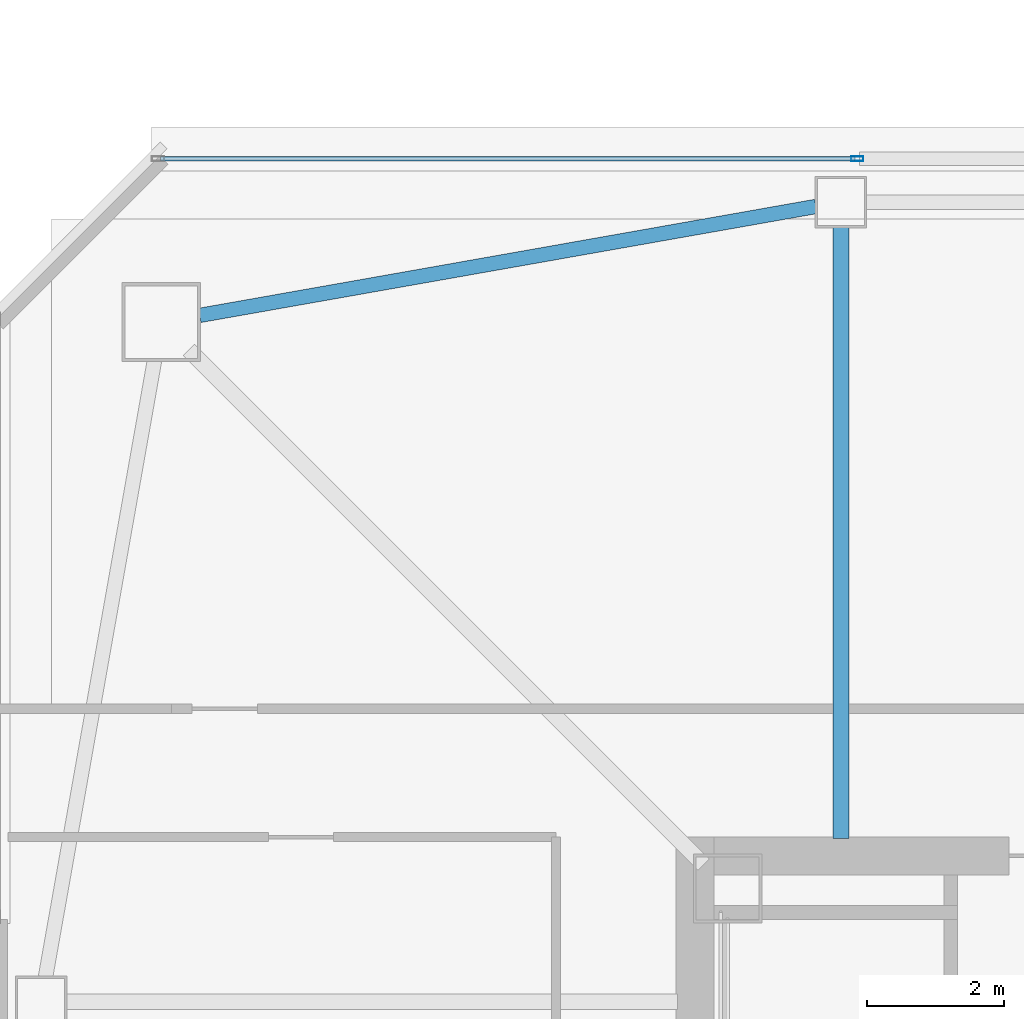
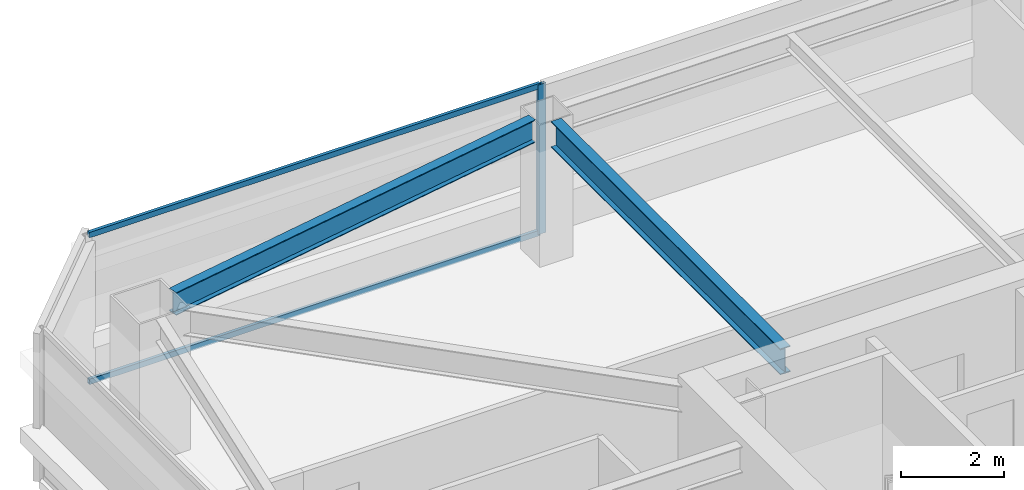
# One storey, part 12 of 41: 3 members, 2 beams, 1 element without a shape of its own.
"""IFC4 building model written with IfcOpenShell, lengths in metres."""

from ifc_helpers import new_model, si_unit, direction, frame, origin, origin_2d, place, context, subcontext, project, spatial, hollow_rectangle, i_section, extrude, material, material_profile, profile_set, type_object, element, aggregate, save


model = new_model("IFC4")

# Units and contexts
model_context = context("Model", 3, precision=1e-05, world=origin(), true_north=direction((0.0, 1.0)))
body_context = subcontext(model_context, "Body", "Model", "MODEL_VIEW")
ifc_project = project(units=[si_unit("LENGTHUNIT", "METRE"), si_unit("AREAUNIT", "SQUARE_METRE"), si_unit("VOLUMEUNIT", "CUBIC_METRE"), si_unit("PLANEANGLEUNIT", "RADIAN"), si_unit("MASSUNIT", "GRAM", prefix="KILO")], contexts=[model_context])

# Site, building, storey
site_placement = place(None, origin())
site = spatial("IfcSite", under=ifc_project, at=site_placement, CompositionType="ELEMENT")
building_placement = place(site_placement, origin())
building = spatial("IfcBuilding", under=site, at=building_placement, Name="Tashvorn Skyway Center", CompositionType="ELEMENT")
storey_placement = place(building_placement, frame((0.0, 0.0, 192.5)))
storey = spatial("IfcBuildingStorey", under=building, at=storey_placement, Name="L52", CompositionType="ELEMENT", Elevation=192.5)

# Beams
ifc_material_1 = material(Name="Steel ASTM A992 Grade 50", Category="steel")
ifc_material_profile_1 = material_profile(ifc_material_1, i_section(OverallWidth=0.22998046875, OverallDepth=0.616943359375, WebThickness=0.01318359375, FlangeThickness=0.022216796875, at=origin_2d()), Name="W24X94")
ifc_profile_set_1 = profile_set([ifc_material_profile_1], Name="Steel ASTM A992 Grade 50")
beam_type_1 = type_object("IfcBeamType", Name="BM-BEAM-W24X94", PredefinedType="BEAM", material=ifc_profile_set_1)
beam_1_placement = place(storey_placement, frame((36.60009765625, 48.679931640625, 3.0615234375), z_axis=(0.0, -1.0, 0.0), x_axis=(1.0, 0.0, 0.0)))
element("IfcBeam", 1, at=beam_1_placement, inside=storey, type_object=beam_type_1, Name="Tower 1 L52 Primary Floor Girder FC-N2", PredefinedType="BEAM", context=body_context, shape_type="SweptSolid", body=[
    extrude(i_section(OverallWidth=0.22998046875, OverallDepth=0.616943359375, WebThickness=0.01318359375, FlangeThickness=0.022216796875, at=origin_2d()), origin(), (0.0, 0.0, 1.0), 8.89990234375),
])
ifc_material_profile_2 = material_profile(ifc_material_1, i_section(OverallWidth=0.2109375, OverallDepth=0.5390625, WebThickness=0.01171875, FlangeThickness=0.018798828125, at=origin_2d()), Name="W21X73")
ifc_profile_set_2 = profile_set([ifc_material_profile_2], Name="Steel ASTM A992 Grade 50")
beam_type_2 = type_object("IfcBeamType", Name="BM-SPANDREL-W21X73", PredefinedType="SPANDREL", material=ifc_profile_set_2)
beam_2_placement = place(storey_placement, frame((36.235595703125, 48.985595703125, 3.1005859375), z_axis=(-0.984732545667, -0.174074160933, 0.0), x_axis=(0.174074160933, -0.984732545667, 0.0)))
element("IfcBeam", 2, at=beam_2_placement, inside=storey, type_object=beam_type_2, Name="Tower 1 L52 Spandrel Beam 09", PredefinedType="SPANDREL", context=body_context, shape_type="SweptSolid", body=[
    extrude(i_section(OverallWidth=0.2109375, OverallDepth=0.5390625, WebThickness=0.01171875, FlangeThickness=0.018798828125, at=origin_2d()), origin(), (0.0, 0.0, 1.0), 9.113525390625),
])

# Curtain wall, members
ifc_material_2 = material(Name="Thermally broken bronze-anodized aluminium 6063-T6", Category="aluminium")
curtain_wall_type = type_object("IfcCurtainWallType", Name="CW-CW-Z4", PredefinedType="NOTDEFINED", material=ifc_material_2)
curtain_wall_placement = place(storey_placement, origin())
curtain_wall = element("IfcCurtainWall", 3, at=curtain_wall_placement, inside=storey, type_object=curtain_wall_type, Name="Tower 1 L52 North Unitised Curtain Wall Glazing Group 1", PredefinedType="NOTDEFINED")
ifc_material_profile_3 = material_profile(ifc_material_2, hollow_rectangle(XDim=0.070068359375, YDim=0.179931640625, WallThickness=0.00390625, at=origin_2d()), Name="ALU-MULL-70x180")
ifc_profile_set_3 = profile_set([ifc_material_profile_3], Name="Thermally broken bronze-anodized aluminium 6063-T6")
member_type_1 = type_object("IfcMemberType", Name="CWM-CW-Z4", PredefinedType="MULLION", material=ifc_profile_set_3)
member_1_placement = place(storey_placement, frame((36.83837890625, 49.679931640625, 0.0), z_axis=(0.0, 0.0, 1.0), x_axis=(0.0, 1.0, 0.0)))
member_1 = element("IfcMember", 4, at=member_1_placement, type_object=member_type_1, Name="CW-Z4 mullion 2", PredefinedType="MULLION", context=body_context, shape_type="SweptSolid", body=[
    extrude(hollow_rectangle(XDim=0.070068359375, YDim=0.179931640625, WallThickness=0.00390625, at=origin_2d()), origin(), (0.0, 0.0, 1.0), 3.550048828125),
])
ifc_material_profile_4 = material_profile(ifc_material_2, hollow_rectangle(XDim=0.070068359375, YDim=0.1298828125, WallThickness=0.00390625, at=origin_2d()), Name="ALU-TRAN-70x130")
ifc_profile_set_4 = profile_set([ifc_material_profile_4], Name="Thermally broken bronze-anodized aluminium 6063-T6")
member_type_2 = type_object("IfcMemberType", Name="CWT-CW-Z4", PredefinedType="USERDEFINED", material=ifc_profile_set_4)
member_2_placement = place(storey_placement, frame((26.68994140625, 49.679931640625, 0.034912109375), z_axis=(1.0, 0.0, 0.0), x_axis=(0.0, 1.0, 0.0)))
member_2 = element("IfcMember", 5, at=member_2_placement, type_object=member_type_2, Name="CW-Z4 transom 1.1", ObjectType="TRANSOM", PredefinedType="USERDEFINED", context=body_context, shape_type="SweptSolid", body=[
    extrude(hollow_rectangle(XDim=0.070068359375, YDim=0.1298828125, WallThickness=0.00390625, at=origin_2d()), origin(), (0.0, 0.0, 1.0), 10.11328125),
])
member_3_placement = place(storey_placement, frame((26.68994140625, 49.679931640625, 3.514892578125), z_axis=(1.0, 0.0, 0.0), x_axis=(0.0, 1.0, 0.0)))
member_3 = element("IfcMember", 6, at=member_3_placement, type_object=member_type_2, Name="CW-Z4 transom 1.2", ObjectType="TRANSOM", PredefinedType="USERDEFINED", context=body_context, shape_type="SweptSolid", body=[
    extrude(hollow_rectangle(XDim=0.070068359375, YDim=0.1298828125, WallThickness=0.00390625, at=origin_2d()), origin(), (0.0, 0.0, 1.0), 10.11328125),
])
aggregate(curtain_wall, [member_1, member_2, member_3])

save(model, "model.ifc")
